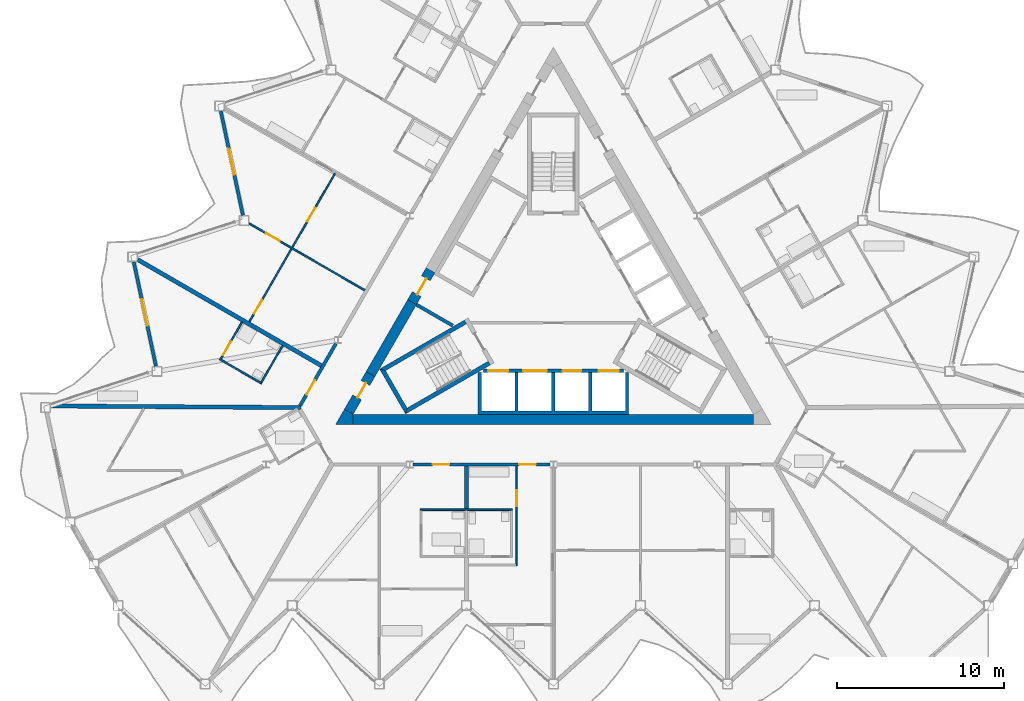
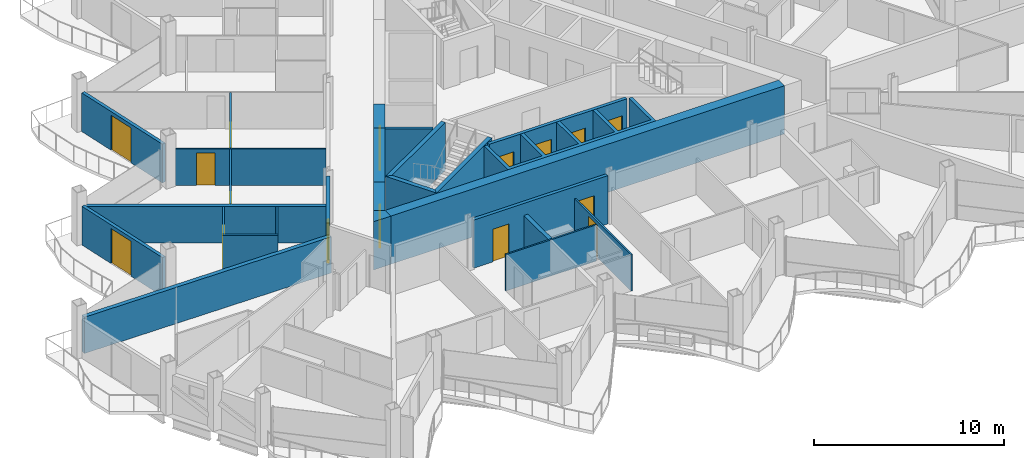
# One storey, part 13 of 26: 25 walls, 16 doors, 16 openings.
"""IFC4 building model written with IfcOpenShell, lengths in metres."""

from ifc_helpers import new_model, si_unit, direction, frame, frame_2d, origin, place, context, subcontext, project, spatial, polyline, rectangle, outline, extrude, material, layer, layer_set, type_object, element, fill, save


model = new_model("IFC4")

# Units and contexts
model_context = context("Model", 3, precision=1e-05, world=origin(), true_north=direction((0.0, 1.0)))
body_context = subcontext(model_context, "Body", "Model", "MODEL_VIEW")
ifc_project = project(units=[si_unit("LENGTHUNIT", "METRE"), si_unit("AREAUNIT", "SQUARE_METRE"), si_unit("VOLUMEUNIT", "CUBIC_METRE"), si_unit("PLANEANGLEUNIT", "RADIAN"), si_unit("MASSUNIT", "GRAM", prefix="KILO")], contexts=[model_context])

# Site, building, storey
site_placement = place(None, origin())
site = spatial("IfcSite", under=ifc_project, at=site_placement, CompositionType="ELEMENT")
building_placement = place(site_placement, origin())
building = spatial("IfcBuilding", under=site, at=building_placement, Name="Cormorant Prow Tower", CompositionType="ELEMENT")
storey_placement = place(building_placement, frame((0.0, 0.0, 339.199951171875)))
storey = spatial("IfcBuildingStorey", under=building, at=storey_placement, Name="L76", CompositionType="ELEMENT", Elevation=339.199951171875)

# Walls
ifc_material_1 = material(Name="Concrete 8000 psi", Category="concrete")
ifc_layer_1 = layer(ifc_material_1, 0.60009765625)
ifc_layer_set_1 = layer_set([ifc_layer_1], Name="Concrete 8000 psi")
wall_type_1 = type_object("IfcWallType", Name="Core shear wall 600", PredefinedType="SHEAR", material=ifc_layer_set_1)
wall_1_placement = place(storey_placement, frame((-11.960693359375, -7.20556640625, 0.0), z_axis=(0.0, 0.0, 1.0), x_axis=(1.0, 0.0, 0.0)))
element("IfcWall", 1, at=wall_1_placement, inside=storey, type_object=wall_type_1, Name="Core wall", PredefinedType="SHEAR", context=body_context, shape_type="SweptSolid", body=[
    extrude(rectangle(XDim=23.92138671875, YDim=0.60009765625, at=frame_2d((11.960693359375, 0.0))), origin(), (0.0, 0.0, 1.0), 3.10009765625),
])
wall_2_placement = place(storey_placement, frame((-8.440185546875, -0.207763671875, 0.0), z_axis=(0.0, 0.0, 1.0), x_axis=(-0.500007425856, -0.866021116422, 0.0)))
element("IfcWall", 2, at=wall_2_placement, inside=storey, type_object=wall_type_1, Name="Core wall", PredefinedType="SHEAR", context=body_context, shape_type="SweptSolid", body=[
    extrude(rectangle(XDim=4.96875, YDim=0.60009765625, at=frame_2d((2.484375, 0.0))), origin(), (0.0, 0.0, 1.0), 3.10009765625),
])
wall_3_placement = place(storey_placement, origin())
element("IfcWall", 3, at=wall_3_placement, inside=storey, type_object=wall_type_1, Name="Core wall corner", PredefinedType="SHEAR", context=body_context, shape_type="SweptSolid", body=[
    extrude(outline(polyline([(-12.48046875, -6.605712890625), (-11.960693359375, -6.905517578125), (-11.960693359375, -7.505615234375), (-13.0, -7.505615234375), (-12.48046875, -6.605712890625)])), origin(), (0.0, 0.0, 1.0), 3.10009765625),
])

# Wall, opening, door
wall_4_placement = place(storey_placement, frame((-10.924560546875, -4.5107421875, 0.0), z_axis=(0.0, 0.0, 1.0), x_axis=(-0.500018667571, -0.866014625789, 0.0)))
wall_4 = element("IfcWall", 4, at=wall_4_placement, inside=storey, type_object=wall_type_1, Name="Core wall door panel", PredefinedType="SHEAR", context=body_context, shape_type="SweptSolid", body=[
    extrude(rectangle(XDim=2.59228515625, YDim=0.60009765625, at=frame_2d((1.296142578125, 0.0))), origin(), (0.0, 0.0, 1.0), 3.10009765625),
])
opening_1_placement = place(wall_4_placement, frame((0.60009765625, 0.0, 0.0)))
opening_1 = element("IfcOpeningElement", 5, at=opening_1_placement, cuts=wall_4, Name="Opening L76-C15", PredefinedType="OPENING", context=body_context, shape_type="SweptSolid", body=[
    extrude(rectangle(XDim=1.0, YDim=2.10009765625, at=frame_2d((0.5, 1.050048828125))), frame((0.0, 0.31005859375, 0.0), z_axis=(0.0, -1.0, 0.0), x_axis=(1.0, 0.0, 0.0)), (0.0, 0.0, 1.0), 0.6201171875),
])
ifc_material_2 = material(Name="Painted steel", Category="steel")
door_type_1 = type_object("IfcDoorType", Name="Service door 1000x2100", OperationType="NOTDEFINED", PredefinedType="DOOR", material=ifc_material_2)
door_1_placement = place(opening_1_placement, origin())
door_1 = element("IfcDoor", 6, at=door_1_placement, inside=storey, type_object=door_type_1, Name="Core door, Electrical room", OperationType="SINGLE_SWING_RIGHT", OverallHeight=2.10009765625, OverallWidth=1.0, PredefinedType="DOOR", context=body_context, shape_type="SweptSolid", body=[
    extrude(rectangle(XDim=1.0, YDim=2.10009765625, at=frame_2d((0.5, 1.050048828125))), frame((0.0, 0.05517578125, 0.0), z_axis=(0.0, -1.0, 0.0), x_axis=(1.0, 0.0, 0.0)), (0.0, 0.0, 1.0), 0.050048828125),
])
fill(opening_1, door_1)

wall_5_placement = place(storey_placement, frame((-7.340087890625, 1.697509765625, 0.0), z_axis=(0.0, 0.0, 1.0), x_axis=(-0.50002983664, -0.866008176907, 0.0)))
wall_5 = element("IfcWall", 7, at=wall_5_placement, inside=storey, type_object=wall_type_1, Name="Core wall door panel", PredefinedType="SHEAR", context=body_context, shape_type="SweptSolid", body=[
    extrude(rectangle(XDim=2.199951171875, YDim=0.60009765625, at=frame_2d((1.10009765625, 0.0))), origin(), (0.0, 0.0, 1.0), 3.10009765625),
])
opening_2_placement = place(wall_5_placement, frame((0.550048828125, 0.0, 0.0)))
opening_2 = element("IfcOpeningElement", 8, at=opening_2_placement, cuts=wall_5, Name="Opening L76-C20", PredefinedType="OPENING", context=body_context, shape_type="SweptSolid", body=[
    extrude(rectangle(XDim=1.10009765625, YDim=2.10009765625, at=frame_2d((0.550048828125, 1.050048828125))), frame((0.0, 0.31005859375, 0.0), z_axis=(0.0, -1.0, 0.0), x_axis=(1.0, 0.0, 0.0)), (0.0, 0.0, 1.0), 0.6201171875),
])
ifc_material_3 = material(Name="Painted steel", Category="steel")
door_type_2 = type_object("IfcDoorType", Name="Core door 1100x2100", OperationType="NOTDEFINED", PredefinedType="DOOR", material=ifc_material_3)
door_2_placement = place(opening_2_placement, origin())
door_2 = element("IfcDoor", 9, at=door_2_placement, inside=storey, type_object=door_type_2, Name="Core door, lift lobby", OperationType="SINGLE_SWING_RIGHT", OverallHeight=2.10009765625, OverallWidth=1.10009765625, PredefinedType="DOOR", context=body_context, shape_type="SweptSolid", body=[
    extrude(rectangle(XDim=1.10009765625, YDim=2.10009765625, at=frame_2d((0.550048828125, 1.050048828125))), frame((0.0, 0.05517578125, 0.0), z_axis=(0.0, -1.0, 0.0), x_axis=(1.0, 0.0, 0.0)), (0.0, 0.0, 1.0), 0.050048828125),
])
fill(opening_2, door_2)

# Wall, openings, doors
ifc_material_4 = material(Name="Gypsum board corridor wall")
ifc_layer_2 = layer(ifc_material_4, 0.199951171875)
ifc_layer_set_2 = layer_set([ifc_layer_2], Name="Gypsum board corridor wall")
wall_type_2 = type_object("IfcWallType", Name="Corridor wall 200", PredefinedType="PARTITIONING", material=ifc_layer_set_2)
wall_6_placement = place(storey_placement, frame((-8.370849609375, -9.905517578125, 0.0), z_axis=(0.0, 0.0, 1.0), x_axis=(1.0, 0.0, 0.0)))
wall_6 = element("IfcWall", 10, at=wall_6_placement, inside=storey, type_object=wall_type_2, Name="Corridor wall", PredefinedType="PARTITIONING", context=body_context, shape_type="SweptSolid", body=[
    extrude(rectangle(XDim=8.1630859375, YDim=0.199951171875, at=frame_2d((4.08154296875, 0.0))), origin(), (0.0, 0.0, 1.0), 3.10009765625),
])
opening_3_placement = place(wall_6_placement, frame((1.15869140625, 0.0, 0.0)))
opening_3 = element("IfcOpeningElement", 11, at=opening_3_placement, cuts=wall_6, Name="Opening L76-F01", PredefinedType="OPENING", context=body_context, shape_type="SweptSolid", body=[
    extrude(rectangle(XDim=1.0, YDim=2.10009765625, at=frame_2d((0.5, 1.050048828125))), frame((0.0, 0.10986328125, 0.0), z_axis=(0.0, -1.0, 0.0), x_axis=(1.0, 0.0, 0.0)), (0.0, 0.0, 1.0), 0.219970703125),
])
opening_4_placement = place(wall_6_placement, frame((6.32666015625, 0.0, 0.0)))
opening_4 = element("IfcOpeningElement", 12, at=opening_4_placement, cuts=wall_6, Name="Opening L76-F06", PredefinedType="OPENING", context=body_context, shape_type="SweptSolid", body=[
    extrude(rectangle(XDim=1.0, YDim=2.10009765625, at=frame_2d((0.5, 1.050048828125))), frame((0.0, 0.10986328125, 0.0), z_axis=(0.0, -1.0, 0.0), x_axis=(1.0, 0.0, 0.0)), (0.0, 0.0, 1.0), 0.219970703125),
])
ifc_material_5 = material(Name="Timber door leaf", Category="wood")
door_type_3 = type_object("IfcDoorType", Name="Flat or room entrance door 1000x2100", OperationType="NOTDEFINED", PredefinedType="DOOR", material=ifc_material_5)
door_3_placement = place(opening_3_placement, origin())
door_3 = element("IfcDoor", 13, at=door_3_placement, inside=storey, type_object=door_type_3, Name="Living room door", OperationType="SINGLE_SWING_RIGHT", OverallHeight=2.10009765625, OverallWidth=1.0, PredefinedType="DOOR", context=body_context, shape_type="SweptSolid", body=[
    extrude(rectangle(XDim=1.0, YDim=2.10009765625, at=frame_2d((0.5, 1.050048828125))), frame((0.0, 0.02490234375, 0.0), z_axis=(0.0, -1.0, 0.0), x_axis=(1.0, 0.0, 0.0)), (0.0, 0.0, 1.0), 0.050048828125),
])
fill(opening_3, door_3)
door_4_placement = place(opening_4_placement, origin())
door_4 = element("IfcDoor", 14, at=door_4_placement, inside=storey, type_object=door_type_3, Name="Living room door", OperationType="SINGLE_SWING_LEFT", OverallHeight=2.10009765625, OverallWidth=1.0, PredefinedType="DOOR", context=body_context, shape_type="SweptSolid", body=[
    extrude(rectangle(XDim=1.0, YDim=2.10009765625, at=frame_2d((0.5, 1.050048828125))), frame((0.0, 0.02490234375, 0.0), z_axis=(0.0, -1.0, 0.0), x_axis=(1.0, 0.0, 0.0)), (0.0, 0.0, 1.0), 0.050048828125),
])
fill(opening_4, door_4)

# Wall, opening, door
wall_7_placement = place(storey_placement, frame((-15.13134765625, -6.397216796875, 0.0), z_axis=(0.0, 0.0, 1.0), x_axis=(0.500003406062, 0.866023437285, 0.0)))
wall_7 = element("IfcWall", 15, at=wall_7_placement, inside=storey, type_object=wall_type_2, Name="Corridor wall", PredefinedType="PARTITIONING", context=body_context, shape_type="SweptSolid", body=[
    extrude(rectangle(XDim=4.28759765625, YDim=0.199951171875, at=frame_2d((2.143798828125, 0.0))), origin(), (0.0, 0.0, 1.0), 3.10009765625),
])
opening_5_placement = place(wall_7_placement, frame((0.76611328125, 0.0, 0.0)))
opening_5 = element("IfcOpeningElement", 16, at=opening_5_placement, cuts=wall_7, Name="Opening L76-F52", PredefinedType="OPENING", context=body_context, shape_type="SweptSolid", body=[
    extrude(rectangle(XDim=1.0, YDim=2.10009765625, at=frame_2d((0.5, 1.050048828125))), frame((0.0, 0.10986328125, 0.0), z_axis=(0.0, -1.0, 0.0), x_axis=(1.0, 0.0, 0.0)), (0.0, 0.0, 1.0), 0.219970703125),
])
door_5_placement = place(opening_5_placement, origin())
door_5 = element("IfcDoor", 17, at=door_5_placement, inside=storey, type_object=door_type_3, Name="Studio living, kitchen and sleeping room door", OperationType="SINGLE_SWING_RIGHT", OverallHeight=2.10009765625, OverallWidth=1.0, PredefinedType="DOOR", context=body_context, shape_type="SweptSolid", body=[
    extrude(rectangle(XDim=1.0, YDim=2.10009765625, at=frame_2d((0.5, 1.050048828125))), frame((0.0, 0.02490234375, 0.0), z_axis=(0.0, -1.0, 0.0), x_axis=(1.0, 0.0, 0.0)), (0.0, 0.0, 1.0), 0.050048828125),
])
fill(opening_5, door_5)

# Wall, openings, doors
ifc_material_6 = material(Name="Gypsum board partition")
ifc_layer_3 = layer(ifc_material_6, 0.10009765625)
ifc_layer_set_3 = layer_set([ifc_layer_3], Name="Gypsum board partition")
wall_type_3 = type_object("IfcWallType", Name="Internal partition 100", PredefinedType="PARTITIONING", material=ifc_layer_set_3)
wall_8_placement = place(storey_placement, frame((-18.154296875, -1.37744140625, 0.0), z_axis=(0.0, 0.0, 1.0), x_axis=(0.49998782916, 0.866032430508, 0.0)))
wall_8 = element("IfcWall", 18, at=wall_8_placement, inside=storey, type_object=wall_type_3, Name="Internal partition", PredefinedType="PARTITIONING", context=body_context, shape_type="SweptSolid", body=[
    extrude(rectangle(XDim=10.219970703125, YDim=0.10009765625, at=frame_2d((5.10986328125, 0.0))), origin(), (0.0, 0.0, 1.0), 2.330078125),
])
opening_6_placement = place(wall_8_placement, frame((6.903076171875, 0.0, 0.0)))
opening_6 = element("IfcOpeningElement", 19, at=opening_6_placement, cuts=wall_8, Name="Opening L76-F48", PredefinedType="OPENING", context=body_context, shape_type="SweptSolid", body=[
    extrude(rectangle(XDim=0.949951171875, YDim=2.10009765625, at=frame_2d((0.47509765625, 1.050048828125))), frame((0.0, 0.06005859375, 0.0), z_axis=(0.0, -1.0, 0.0), x_axis=(1.0, 0.0, 0.0)), (0.0, 0.0, 1.0), 0.1201171875),
])
opening_7_placement = place(wall_8_placement, frame((0.552490234375, 0.0, 0.0)))
opening_7 = element("IfcOpeningElement", 20, at=opening_7_placement, cuts=wall_8, Name="Opening L76-F50", PredefinedType="OPENING", context=body_context, shape_type="SweptSolid", body=[
    extrude(rectangle(XDim=0.949951171875, YDim=2.10009765625, at=frame_2d((0.47509765625, 1.050048828125))), frame((0.0, 0.06005859375, 0.0), z_axis=(0.0, -1.0, 0.0), x_axis=(1.0, 0.0, 0.0)), (0.0, 0.0, 1.0), 0.1201171875),
])
ifc_material_7 = material(Name="Timber door leaf", Category="wood")
door_type_4 = type_object("IfcDoorType", Name="Bathroom door 950x2100", OperationType="NOTDEFINED", PredefinedType="DOOR", material=ifc_material_7)
door_6_placement = place(opening_6_placement, origin())
door_6 = element("IfcDoor", 21, at=door_6_placement, inside=storey, type_object=door_type_4, Name="Bedroom door", OperationType="SINGLE_SWING_LEFT", OverallHeight=2.10009765625, OverallWidth=0.949951171875, PredefinedType="DOOR", context=body_context, shape_type="SweptSolid", body=[
    extrude(rectangle(XDim=0.949951171875, YDim=2.10009765625, at=frame_2d((0.47509765625, 1.050048828125))), frame((0.0, 0.02490234375, 0.0), z_axis=(0.0, -1.0, 0.0), x_axis=(1.0, 0.0, 0.0)), (0.0, 0.0, 1.0), 0.050048828125),
])
fill(opening_6, door_6)
door_7_placement = place(opening_7_placement, origin())
door_7 = element("IfcDoor", 22, at=door_7_placement, inside=storey, type_object=door_type_4, Name="Bedroom door", OperationType="SINGLE_SWING_LEFT", OverallHeight=2.10009765625, OverallWidth=0.949951171875, PredefinedType="DOOR", context=body_context, shape_type="SweptSolid", body=[
    extrude(rectangle(XDim=0.949951171875, YDim=2.10009765625, at=frame_2d((0.47509765625, 1.050048828125))), frame((0.0, 0.02490234375, 0.0), z_axis=(0.0, -1.0, 0.0), x_axis=(1.0, 0.0, 0.0)), (0.0, 0.0, 1.0), 0.050048828125),
])
fill(opening_7, door_7)

# Wall, opening, door
wall_9_placement = place(storey_placement, frame((-18.160888671875, 4.483642578125, 0.0), z_axis=(0.0, 0.0, 1.0), x_axis=(0.86602732995, -0.499996663769, 0.0)))
wall_9 = element("IfcWall", 23, at=wall_9_placement, inside=storey, type_object=wall_type_3, Name="Internal partition", PredefinedType="PARTITIONING", context=body_context, shape_type="SweptSolid", body=[
    extrude(rectangle(XDim=7.9638671875, YDim=0.10009765625, at=frame_2d((3.98193359375, 0.0))), origin(), (0.0, 0.0, 1.0), 2.330078125),
])
opening_8_placement = place(wall_9_placement, frame((1.15185546875, 0.0, 0.0)))
opening_8 = element("IfcOpeningElement", 24, at=opening_8_placement, cuts=wall_9, Name="Opening L76-F49", PredefinedType="OPENING", context=body_context, shape_type="SweptSolid", body=[
    extrude(rectangle(XDim=0.949951171875, YDim=2.10009765625, at=frame_2d((0.47509765625, 1.050048828125))), frame((0.0, 0.06005859375, 0.0), z_axis=(0.0, -1.0, 0.0), x_axis=(1.0, 0.0, 0.0)), (0.0, 0.0, 1.0), 0.1201171875),
])
door_8_placement = place(opening_8_placement, origin())
door_8 = element("IfcDoor", 25, at=door_8_placement, inside=storey, type_object=door_type_4, Name="Bedroom door", OperationType="SINGLE_SWING_RIGHT", OverallHeight=2.10009765625, OverallWidth=0.949951171875, PredefinedType="DOOR", context=body_context, shape_type="SweptSolid", body=[
    extrude(rectangle(XDim=0.949951171875, YDim=2.10009765625, at=frame_2d((0.47509765625, 1.050048828125))), frame((0.0, 0.02490234375, 0.0), z_axis=(0.0, -1.0, 0.0), x_axis=(1.0, 0.0, 0.0)), (0.0, 0.0, 1.0), 0.050048828125),
])
fill(opening_8, door_8)

wall_10_placement = place(storey_placement, frame((-2.197509765625, -15.95556640625, 0.0), z_axis=(0.0, 0.0, 1.0), x_axis=(0.0, 1.0, 0.0)))
wall_10 = element("IfcWall", 26, at=wall_10_placement, inside=storey, type_object=wall_type_3, Name="Internal partition", PredefinedType="PARTITIONING", context=body_context, shape_type="SweptSolid", body=[
    extrude(rectangle(XDim=5.949951171875, YDim=0.10009765625, at=frame_2d((2.97509765625, 0.0))), origin(), (0.0, 0.0, 1.0), 2.330078125),
])
opening_9_placement = place(wall_10_placement, frame((3.550048828125, 0.0, 0.0)))
opening_9 = element("IfcOpeningElement", 27, at=opening_9_placement, cuts=wall_10, Name="Opening L76-F08", PredefinedType="OPENING", context=body_context, shape_type="SweptSolid", body=[
    extrude(rectangle(XDim=0.949951171875, YDim=2.10009765625, at=frame_2d((0.47509765625, 1.050048828125))), frame((0.0, 0.06005859375, 0.0), z_axis=(0.0, -1.0, 0.0), x_axis=(1.0, 0.0, 0.0)), (0.0, 0.0, 1.0), 0.1201171875),
])
door_9_placement = place(opening_9_placement, origin())
door_9 = element("IfcDoor", 28, at=door_9_placement, inside=storey, type_object=door_type_4, Name="Living room door", OperationType="SINGLE_SWING_LEFT", OverallHeight=2.10009765625, OverallWidth=0.949951171875, PredefinedType="DOOR", context=body_context, shape_type="SweptSolid", body=[
    extrude(rectangle(XDim=0.949951171875, YDim=2.10009765625, at=frame_2d((0.47509765625, 1.050048828125))), frame((0.0, 0.02490234375, 0.0), z_axis=(0.0, -1.0, 0.0), x_axis=(1.0, 0.0, 0.0)), (0.0, 0.0, 1.0), 0.050048828125),
])
fill(opening_9, door_9)

# Walls
wall_11_placement = place(storey_placement, frame((-7.947509765625, -12.605712890625, 0.0), z_axis=(0.0, 0.0, 1.0), x_axis=(1.0, 0.0, 0.0)))
element("IfcWall", 29, at=wall_11_placement, inside=storey, type_object=wall_type_3, Name="Internal partition", PredefinedType="PARTITIONING", context=body_context, shape_type="SweptSolid", body=[
    extrude(rectangle(XDim=5.5, YDim=0.10009765625, at=frame_2d((2.75, 0.0))), origin(), (0.0, 0.0, 1.0), 2.330078125),
])
wall_12_placement = place(storey_placement, frame((-19.932373046875, -3.61279296875, 0.0), z_axis=(0.0, 0.0, 1.0), x_axis=(0.865996321171, -0.50005036918, 0.0)))
element("IfcWall", 30, at=wall_12_placement, inside=storey, type_object=wall_type_3, Name="Internal partition", PredefinedType="PARTITIONING", context=body_context, shape_type="SweptSolid", body=[
    extrude(rectangle(XDim=2.900146484375, YDim=0.10009765625, at=frame_2d((1.4501953125, 0.0))), origin(), (0.0, 0.0, 1.0), 2.330078125),
])
wall_13_placement = place(storey_placement, frame((-17.439208984375, -4.99462890625, 0.0), z_axis=(0.0, 0.0, 1.0), x_axis=(0.499976333282, 0.866039067339, 0.0)))
element("IfcWall", 31, at=wall_13_placement, inside=storey, type_object=wall_type_3, Name="Internal partition", PredefinedType="PARTITIONING", context=body_context, shape_type="SweptSolid", body=[
    extrude(rectangle(XDim=2.52490234375, YDim=0.10009765625, at=frame_2d((1.262451171875, 0.0))), origin(), (0.0, 0.0, 1.0), 2.330078125),
])

# Wall, opening, door
wall_14_placement = place(storey_placement, frame((-19.864013671875, -3.594482421875, 0.0), z_axis=(0.0, 0.0, 1.0), x_axis=(0.50001820224, 0.866014894461, 0.0)))
wall_14 = element("IfcWall", 32, at=wall_14_placement, inside=storey, type_object=wall_type_3, Name="Internal partition", PredefinedType="PARTITIONING", context=body_context, shape_type="SweptSolid", body=[
    extrude(rectangle(XDim=2.52490234375, YDim=0.10009765625, at=frame_2d((1.262451171875, 0.0))), origin(), (0.0, 0.0, 1.0), 2.330078125),
])
opening_10_placement = place(wall_14_placement, frame((0.25, 0.0, 0.0)))
opening_10 = element("IfcOpeningElement", 33, at=opening_10_placement, cuts=wall_14, Name="Opening L76-F53", PredefinedType="OPENING", context=body_context, shape_type="SweptSolid", body=[
    extrude(rectangle(XDim=0.949951171875, YDim=2.10009765625, at=frame_2d((0.47509765625, 1.050048828125))), frame((0.0, 0.06005859375, 0.0), z_axis=(0.0, -1.0, 0.0), x_axis=(1.0, 0.0, 0.0)), (0.0, 0.0, 1.0), 0.1201171875),
])
door_10_placement = place(opening_10_placement, origin())
door_10 = element("IfcDoor", 34, at=door_10_placement, inside=storey, type_object=door_type_4, Name="Studio living, kitchen and sleeping room door", OperationType="SINGLE_SWING_LEFT", OverallHeight=2.10009765625, OverallWidth=0.949951171875, PredefinedType="DOOR", context=body_context, shape_type="SweptSolid", body=[
    extrude(rectangle(XDim=0.949951171875, YDim=2.10009765625, at=frame_2d((0.47509765625, 1.050048828125))), frame((0.0, 0.02490234375, 0.0), z_axis=(0.0, -1.0, 0.0), x_axis=(1.0, 0.0, 0.0)), (0.0, 0.0, 1.0), 0.050048828125),
])
fill(opening_10, door_10)

# Wall, openings, doors
ifc_material_8 = material(Name="Concrete 5000 psi", Category="concrete")
ifc_layer_4 = layer(ifc_material_8, 0.199951171875)
ifc_layer_set_4 = layer_set([ifc_layer_4], Name="Concrete 5000 psi")
wall_type_4 = type_object("IfcWallType", Name="Lift lobby wall 200", PredefinedType="SOLIDWALL", material=ifc_layer_set_4)
wall_15_placement = place(storey_placement, frame((-4.1865234375, -4.300048828125, 0.0), z_axis=(0.0, 0.0, 1.0), x_axis=(1.0, 0.0, 0.0)))
wall_15 = element("IfcWall", 35, at=wall_15_placement, inside=storey, type_object=wall_type_4, Name="Lift lobby wall, S block", PredefinedType="SOLIDWALL", context=body_context, shape_type="SweptSolid", body=[
    extrude(rectangle(XDim=8.373046875, YDim=0.199951171875, at=frame_2d((4.1865234375, 0.0))), origin(), (0.0, 0.0, 1.0), 3.10009765625),
])
opening_11_placement = place(wall_15_placement, frame((0.28662109375, 0.0, 0.0)))
opening_11 = element("IfcOpeningElement", 36, at=opening_11_placement, cuts=wall_15, Name="Opening L76-C01", PredefinedType="OPENING", context=body_context, shape_type="SweptSolid", body=[
    extrude(rectangle(XDim=1.199951171875, YDim=2.10009765625, at=frame_2d((0.60009765625, 1.050048828125))), frame((0.0, 0.10986328125, 0.0), z_axis=(0.0, -1.0, 0.0), x_axis=(1.0, 0.0, 0.0)), (0.0, 0.0, 1.0), 0.219970703125),
])
opening_12_placement = place(wall_15_placement, frame((2.38671875, 0.0, 0.0)))
opening_12 = element("IfcOpeningElement", 37, at=opening_12_placement, cuts=wall_15, Name="Opening L76-C02", PredefinedType="OPENING", context=body_context, shape_type="SweptSolid", body=[
    extrude(rectangle(XDim=1.39990234375, YDim=2.10009765625, at=frame_2d((0.699951171875, 1.050048828125))), frame((0.0, 0.10986328125, 0.0), z_axis=(0.0, -1.0, 0.0), x_axis=(1.0, 0.0, 0.0)), (0.0, 0.0, 1.0), 0.219970703125),
])
opening_13_placement = place(wall_15_placement, frame((4.736572265625, 0.0, 0.0)))
opening_13 = element("IfcOpeningElement", 38, at=opening_13_placement, cuts=wall_15, Name="Opening L76-C03", PredefinedType="OPENING", context=body_context, shape_type="SweptSolid", body=[
    extrude(rectangle(XDim=1.10009765625, YDim=2.10009765625, at=frame_2d((0.550048828125, 1.050048828125))), frame((0.0, 0.10986328125, 0.0), z_axis=(0.0, -1.0, 0.0), x_axis=(1.0, 0.0, 0.0)), (0.0, 0.0, 1.0), 0.219970703125),
])
opening_14_placement = place(wall_15_placement, frame((6.88671875, 0.0, 0.0)))
opening_14 = element("IfcOpeningElement", 39, at=opening_14_placement, cuts=wall_15, Name="Opening L76-C04", PredefinedType="OPENING", context=body_context, shape_type="SweptSolid", body=[
    extrude(rectangle(XDim=1.199951171875, YDim=2.10009765625, at=frame_2d((0.60009765625, 1.050048828125))), frame((0.0, 0.10986328125, 0.0), z_axis=(0.0, -1.0, 0.0), x_axis=(1.0, 0.0, 0.0)), (0.0, 0.0, 1.0), 0.219970703125),
])
ifc_material_9 = material(Name="Painted steel", Category="steel")
door_type_5 = type_object("IfcDoorType", Name="Firefighting lift landing door 1200x2100", OperationType="SLIDING_TO_LEFT", PredefinedType="DOOR", material=ifc_material_9)
door_11_placement = place(opening_11_placement, origin())
door_11 = element("IfcDoor", 40, at=door_11_placement, inside=storey, type_object=door_type_5, Name="Landing door FL1", OperationType="SLIDING_TO_LEFT", OverallHeight=2.10009765625, OverallWidth=1.199951171875, PredefinedType="DOOR", context=body_context, shape_type="SweptSolid", body=[
    extrude(rectangle(XDim=1.199951171875, YDim=2.10009765625, at=frame_2d((0.60009765625, 1.050048828125))), frame((0.0, 0.02490234375, 0.0), z_axis=(0.0, -1.0, 0.0), x_axis=(1.0, 0.0, 0.0)), (0.0, 0.0, 1.0), 0.050048828125),
])
fill(opening_11, door_11)
door_12_placement = place(opening_14_placement, origin())
door_12 = element("IfcDoor", 41, at=door_12_placement, inside=storey, type_object=door_type_5, Name="Landing door FL2", OperationType="SLIDING_TO_LEFT", OverallHeight=2.10009765625, OverallWidth=1.199951171875, PredefinedType="DOOR", context=body_context, shape_type="SweptSolid", body=[
    extrude(rectangle(XDim=1.199951171875, YDim=2.10009765625, at=frame_2d((0.60009765625, 1.050048828125))), frame((0.0, 0.02490234375, 0.0), z_axis=(0.0, -1.0, 0.0), x_axis=(1.0, 0.0, 0.0)), (0.0, 0.0, 1.0), 0.050048828125),
])
fill(opening_14, door_12)
ifc_material_10 = material(Name="Painted steel", Category="steel")
door_type_6 = type_object("IfcDoorType", Name="Lift landing door 1100x2100", OperationType="SLIDING_TO_LEFT", PredefinedType="DOOR", material=ifc_material_10)
door_13_placement = place(opening_13_placement, origin())
door_13 = element("IfcDoor", 42, at=door_13_placement, inside=storey, type_object=door_type_6, Name="Landing door HR1", OperationType="SLIDING_TO_LEFT", OverallHeight=2.10009765625, OverallWidth=1.10009765625, PredefinedType="DOOR", context=body_context, shape_type="SweptSolid", body=[
    extrude(rectangle(XDim=1.10009765625, YDim=2.10009765625, at=frame_2d((0.550048828125, 1.050048828125))), frame((0.0, 0.02490234375, 0.0), z_axis=(0.0, -1.0, 0.0), x_axis=(1.0, 0.0, 0.0)), (0.0, 0.0, 1.0), 0.050048828125),
])
fill(opening_13, door_13)
ifc_material_11 = material(Name="Painted steel", Category="steel")
door_type_7 = type_object("IfcDoorType", Name="Service lift landing door 1400x2100", OperationType="SLIDING_TO_LEFT", PredefinedType="DOOR", material=ifc_material_11)
door_14_placement = place(opening_12_placement, origin())
door_14 = element("IfcDoor", 43, at=door_14_placement, inside=storey, type_object=door_type_7, Name="Landing door SL1", OperationType="SLIDING_TO_LEFT", OverallHeight=2.10009765625, OverallWidth=1.39990234375, PredefinedType="DOOR", context=body_context, shape_type="SweptSolid", body=[
    extrude(rectangle(XDim=1.39990234375, YDim=2.10009765625, at=frame_2d((0.699951171875, 1.050048828125))), frame((0.0, 0.02490234375, 0.0), z_axis=(0.0, -1.0, 0.0), x_axis=(1.0, 0.0, 0.0)), (0.0, 0.0, 1.0), 0.050048828125),
])
fill(opening_12, door_14)

# Walls
ifc_material_12 = material(Name="Concrete 8000 psi", Category="concrete")
ifc_layer_5 = layer(ifc_material_12, 0.199951171875)
ifc_layer_set_5 = layer_set([ifc_layer_5], Name="Concrete 8000 psi")
wall_type_5 = type_object("IfcWallType", Name="Lift shaft wall 200", PredefinedType="SHEAR", material=ifc_layer_set_5)
wall_16_placement = place(storey_placement, origin())
element("IfcWall", 44, at=wall_16_placement, inside=storey, type_object=wall_type_5, Name="Lift shaft walls, S block", PredefinedType="SHEAR", context=body_context, shape_type="SweptSolid", body=[
    extrude(outline(polyline([(4.5, -4.39990234375), (4.5, -6.906005859375), (-4.5, -6.906005859375), (-4.5, -4.39990234375), (-4.300048828125, -4.39990234375), (-4.300048828125, -6.699951171875), (-2.300048828125, -6.699951171875), (-2.300048828125, -4.39990234375), (-2.10009765625, -4.39990234375), (-2.10009765625, -6.699951171875), (-0.10009765625, -6.699951171875), (-0.10009765625, -4.39990234375), (0.10009765625, -4.39990234375), (0.10009765625, -6.699951171875), (2.10009765625, -6.699951171875), (2.10009765625, -4.39990234375), (2.300048828125, -4.39990234375), (2.300048828125, -6.699951171875), (4.300048828125, -6.699951171875), (4.300048828125, -4.39990234375), (4.5, -4.39990234375)])), origin(), (0.0, 0.0, 1.0), 3.10009765625),
])
wall_17_placement = place(storey_placement, origin())
element("IfcWall", 45, at=wall_17_placement, inside=storey, type_object=wall_type_5, Name="Lift shaft walls, WNW block", PredefinedType="SHEAR", context=body_context, shape_type="SweptSolid", body=[
    extrude(outline(polyline([(-6.060546875, -1.697021484375), (-8.230712890625, -0.444091796875), (-8.130859375, -0.27099609375), (-5.96044921875, -1.52392578125), (-6.060546875, -1.697021484375)])), origin(), (0.0, 0.0, 1.0), 3.10009765625),
])
ifc_material_13 = material(Name="Concrete 8000 psi", Category="concrete")
ifc_layer_6 = layer(ifc_material_13, 0.25)
ifc_layer_set_6 = layer_set([ifc_layer_6], Name="Concrete 8000 psi")
wall_type_6 = type_object("IfcWallType", Name="Stair wall 250", PredefinedType="SHEAR", material=ifc_layer_set_6)
wall_18_placement = place(storey_placement, origin())
element("IfcWall", 46, at=wall_18_placement, inside=storey, type_object=wall_type_6, Name="Stair ST1 enclosure wall (flank)", PredefinedType="SHEAR", context=body_context, shape_type="SweptSolid", body=[
    extrude(outline(polyline([(-5.30712890625, -1.28125), (-10.37353515625, -4.206298828125), (-10.031982421875, -4.2978515625), (-5.18212890625, -1.497802734375), (-5.30712890625, -1.28125)])), origin(), (0.0, 0.0, 1.0), 3.10009765625),
])
wall_19_placement = place(storey_placement, origin())
element("IfcWall", 47, at=wall_19_placement, inside=storey, type_object=wall_type_6, Name="Stair ST1 enclosure wall (end)", PredefinedType="SHEAR", context=body_context, shape_type="SweptSolid", body=[
    extrude(outline(polyline([(-10.37353515625, -4.206298828125), (-8.82958984375, -6.880615234375), (-8.738037109375, -6.5390625), (-10.031982421875, -4.2978515625), (-10.37353515625, -4.206298828125)])), origin(), (0.0, 0.0, 1.0), 3.10009765625),
])
wall_20_placement = place(storey_placement, origin())
element("IfcWall", 48, at=wall_20_placement, inside=storey, type_object=wall_type_6, Name="Stair ST1 enclosure wall (flank)", PredefinedType="SHEAR", context=body_context, shape_type="SweptSolid", body=[
    extrude(outline(polyline([(-8.738037109375, -6.5390625), (-8.82958984375, -6.880615234375), (-3.76318359375, -3.95556640625), (-3.88818359375, -3.739013671875), (-8.738037109375, -6.5390625)])), origin(), (0.0, 0.0, 1.0), 3.10009765625),
])
ifc_material_14 = material(Name="Acoustic gypsum party wall")
ifc_layer_7 = layer(ifc_material_14, 0.25)
ifc_layer_set_7 = layer_set([ifc_layer_7], Name="Acoustic gypsum party wall")
wall_type_7 = type_object("IfcWallType", Name="Suite party wall 250", PredefinedType="PARTITIONING", material=ifc_layer_set_7)
wall_21_placement = place(storey_placement, frame((-30.013671875, -6.41015625, 0.0), z_axis=(0.0, 0.0, 1.0), x_axis=(0.999979286789, -0.00643630279, 0.0)))
element("IfcWall", 49, at=wall_21_placement, inside=storey, type_object=wall_type_7, Name="Suite party wall", PredefinedType="PARTITIONING", context=body_context, shape_type="SweptSolid", body=[
    extrude(rectangle(XDim=14.945068359375, YDim=0.25, at=frame_2d((7.47265625, 0.0))), origin(), (0.0, 0.0, 1.0), 2.330078125),
])
wall_22_placement = place(storey_placement, frame((-24.814697265625, 2.323486328125, 0.0), z_axis=(0.0, 0.0, 1.0), x_axis=(0.866033203648, -0.499986489997, 0.0)))
element("IfcWall", 50, at=wall_22_placement, inside=storey, type_object=wall_type_7, Name="Suite party wall", PredefinedType="PARTITIONING", context=body_context, shape_type="SweptSolid", body=[
    extrude(rectangle(XDim=12.646240234375, YDim=0.25, at=frame_2d((6.3232421875, 0.0))), origin(), (0.0, 0.0, 1.0), 2.330078125),
])
wall_23_placement = place(storey_placement, frame((-5.197509765625, -12.5556640625, 0.0), z_axis=(0.0, 0.0, 1.0), x_axis=(0.0, 1.0, 0.0)))
element("IfcWall", 51, at=wall_23_placement, inside=storey, type_object=wall_type_7, Name="Suite party wall", PredefinedType="PARTITIONING", context=body_context, shape_type="SweptSolid", body=[
    extrude(rectangle(XDim=2.550048828125, YDim=0.25, at=frame_2d((1.27490234375, 0.0))), origin(), (0.0, 0.0, 1.0), 2.330078125),
])

# Wall, opening, door
ifc_material_15 = material(Name="Terracotta", Category="masonry")
ifc_layer_8 = layer(ifc_material_15, 0.199951171875)
ifc_layer_set_8 = layer_set([ifc_layer_8], Name="Terracotta")
wall_type_8 = type_object("IfcWallType", Name="Terracotta jamb wall 200", PredefinedType="SOLIDWALL", material=ifc_layer_set_8)
wall_24_placement = place(storey_placement, frame((-19.8603515625, 11.1875, 0.0), z_axis=(0.0, 0.0, 1.0), x_axis=(0.20789003057, -0.978152204511, 0.0)))
wall_24 = element("IfcWall", 52, at=wall_24_placement, inside=storey, type_object=wall_type_8, Name="Terracotta jamb wall WNW05", PredefinedType="SOLIDWALL", context=body_context, shape_type="SweptSolid", body=[
    extrude(rectangle(XDim=6.3486328125, YDim=0.199951171875, at=frame_2d((3.17431640625, 0.0))), origin(), (0.0, 0.0, 1.0), 2.488037109375),
])
opening_15_placement = place(wall_24_placement, frame((2.28173828125, 0.0, 0.0)))
opening_15 = element("IfcOpeningElement", 53, at=opening_15_placement, cuts=wall_24, Name="Opening ED76.13", PredefinedType="OPENING", context=body_context, shape_type="SweptSolid", body=[
    extrude(rectangle(XDim=1.60009765625, YDim=2.25, at=frame_2d((0.800048828125, 1.125))), frame((0.0, 0.10986328125, 0.0), z_axis=(0.0, -1.0, 0.0), x_axis=(1.0, 0.0, 0.0)), (0.0, 0.0, 1.0), 0.219970703125),
])
ifc_material_16 = material(Name="Aluminium 6063-T6", Category="aluminium")
door_type_8 = type_object("IfcDoorType", Name="Balcony door 1600x2250", OperationType="DOUBLE_DOOR_SINGLE_SWING", PredefinedType="DOOR", material=ifc_material_16)
door_15_placement = place(opening_15_placement, origin())
door_15 = element("IfcDoor", 54, at=door_15_placement, inside=storey, type_object=door_type_8, Name="Balcony door WNW05 ED76.13", OperationType="DOUBLE_DOOR_SINGLE_SWING", OverallHeight=2.25, OverallWidth=1.60009765625, PredefinedType="DOOR", context=body_context, shape_type="SweptSolid", body=[
    extrude(rectangle(XDim=1.60009765625, YDim=2.25, at=frame_2d((0.800048828125, 1.125))), frame((0.0, 0.02490234375, 0.0), z_axis=(0.0, -1.0, 0.0), x_axis=(1.0, 0.0, 0.0)), (0.0, 0.0, 1.0), 0.050048828125),
])
fill(opening_15, door_15)

wall_25_placement = place(storey_placement, frame((-25.057373046875, 2.182373046875, 0.0), z_axis=(0.0, 0.0, 1.0), x_axis=(0.207926823578, -0.978144384044, 0.0)))
wall_25 = element("IfcWall", 55, at=wall_25_placement, inside=storey, type_object=wall_type_8, Name="Terracotta jamb wall WNW07", PredefinedType="SOLIDWALL", context=body_context, shape_type="SweptSolid", body=[
    extrude(rectangle(XDim=6.3486328125, YDim=0.199951171875, at=frame_2d((3.17431640625, 0.0))), origin(), (0.0, 0.0, 1.0), 2.488037109375),
])
opening_16_placement = place(wall_25_placement, frame((2.279052734375, 0.0, 0.0)))
opening_16 = element("IfcOpeningElement", 56, at=opening_16_placement, cuts=wall_25, Name="Opening ED76.14", PredefinedType="OPENING", context=body_context, shape_type="SweptSolid", body=[
    extrude(rectangle(XDim=1.60009765625, YDim=2.25, at=frame_2d((0.800048828125, 1.125))), frame((0.0, 0.10986328125, 0.0), z_axis=(0.0, -1.0, 0.0), x_axis=(1.0, 0.0, 0.0)), (0.0, 0.0, 1.0), 0.219970703125),
])
door_16_placement = place(opening_16_placement, origin())
door_16 = element("IfcDoor", 57, at=door_16_placement, inside=storey, type_object=door_type_8, Name="Balcony door WNW07 ED76.14", OperationType="DOUBLE_DOOR_SINGLE_SWING", OverallHeight=2.25, OverallWidth=1.60009765625, PredefinedType="DOOR", context=body_context, shape_type="SweptSolid", body=[
    extrude(rectangle(XDim=1.60009765625, YDim=2.25, at=frame_2d((0.800048828125, 1.125))), frame((0.0, 0.02490234375, 0.0), z_axis=(0.0, -1.0, 0.0), x_axis=(1.0, 0.0, 0.0)), (0.0, 0.0, 1.0), 0.050048828125),
])
fill(opening_16, door_16)

save(model, "model.ifc")
